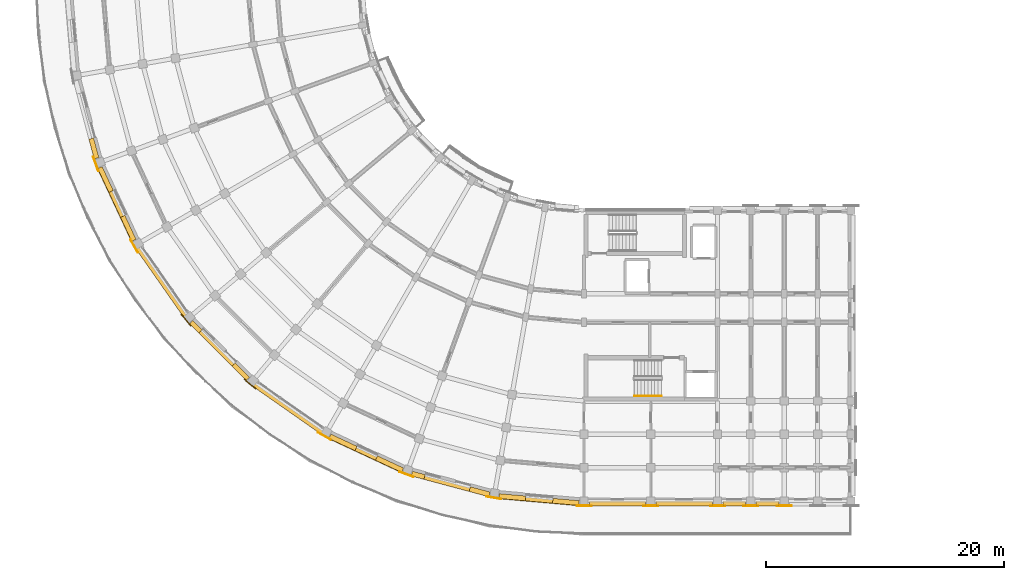
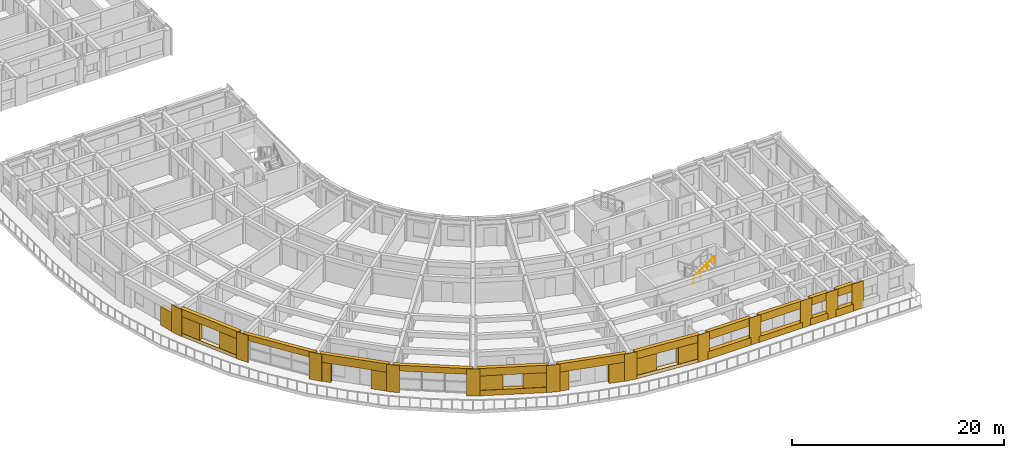
# One storey, part 39 of 57: 41 coverings, 1 railing.
"""IFC4 building model written with IfcOpenShell, lengths in metres."""

import ifcopenshell
import ifcopenshell.guid

model = None  # the IFC model being written
_history = None  # IfcOwnerHistory: only IFC2X3 demands one
_inside = {}  # id of a spatial element -> (the spatial element, [elements in it])
_under = {}  # id of a project, library or spatial element -> (it, [spatial elements below it])
_declared = {}  # id of a project -> (the project, [libraries it declares])
_typed = {}  # id of a type object -> (the type object, [elements of that type])
_made_of = {}  # id of a material, layer set ... -> (it, [elements and type objects made of it])


def new_model(schema):
    """Start an empty IFC model of exactly this schema.

    Asked for "IFC4X3", IfcOpenShell would pick the latest addendum, in which some entities
    have other attributes; the version numbers below select the first issue.
    IFC2X3 requires an IfcOwnerHistory on every rooted entity: one is made here for all.
    """
    global model, _history
    if schema == "IFC4X3":
        model = ifcopenshell.file(schema_version=(4, 3, 0, 0))
    else:
        model = ifcopenshell.file(schema=schema)
    _inside.clear()
    _under.clear()
    _declared.clear()
    _typed.clear()
    _made_of.clear()
    _history = None
    if model.schema == "IFC2X3":
        org = make("IfcOrganization", Name="unknown")
        user = make(
            "IfcPersonAndOrganization",
            ThePerson=make("IfcPerson", FamilyName="unknown"),
            TheOrganization=org,
        )
        app = make(
            "IfcApplication",
            ApplicationDeveloper=org,
            Version="unknown",
            ApplicationFullName="unknown",
            ApplicationIdentifier="unknown",
        )
        _history = make(
            "IfcOwnerHistory",
            OwningUser=user,
            OwningApplication=app,
            ChangeAction="ADDED",
            CreationDate=0,
        )
    return model


def make(cls, **values):
    """One entity of the class cls with the attributes given. An attribute that is None is left unset."""
    return model.create_entity(
        cls, **{name: value for name, value in values.items() if value is not None}
    )


def rooted(cls, **values):
    """An entity with a GlobalId (a new one), such as an element, a storey or a relation."""
    return make(cls, GlobalId=ifcopenshell.guid.new(), OwnerHistory=_history, **values)


def si_unit(unit_type, name, prefix=None):
    """IfcSIUnit, for example si_unit("LENGTHUNIT", "METRE", prefix="MILLI")."""
    return make("IfcSIUnit", UnitType=unit_type, Prefix=prefix, Name=name)


def assignment(units):
    """IfcUnitAssignment: the units of a project."""
    return None if units is None else make("IfcUnitAssignment", Units=units)


def point(xyz):
    """IfcCartesianPoint."""
    return None if xyz is None else make("IfcCartesianPoint", Coordinates=xyz)


def direction(xyz):
    """IfcDirection."""
    return None if xyz is None else make("IfcDirection", DirectionRatios=xyz)


def frame(location, z_axis=None, x_axis=None):
    """IfcAxis2Placement3D, a coordinate frame: its origin and axes. An axis left out is left unset."""
    return make(
        "IfcAxis2Placement3D",
        Location=point(location),
        Axis=direction(z_axis),
        RefDirection=direction(x_axis),
    )


def frame_2d(location, x_axis=None):
    """IfcAxis2Placement2D, a coordinate frame in the plane: its origin and x axis."""
    return make(
        "IfcAxis2Placement2D", Location=point(location), RefDirection=direction(x_axis)
    )


def origin():
    """The frame at (0, 0, 0) with its axes left unset."""
    return frame((0.0, 0.0, 0.0))


def origin_2d():
    """The frame at (0, 0) in the plane with its x axis left unset."""
    return frame_2d((0.0, 0.0))


def place(relative_to, where):
    """IfcLocalPlacement: puts the frame where relative to a parent placement (None: the world)."""
    return make(
        "IfcLocalPlacement", PlacementRelTo=relative_to, RelativePlacement=where
    )


def context(
    kind, dimensions, precision=None, world=None, true_north=None, identifier=None
):
    """IfcGeometricRepresentationContext, for example the 3D "Model" context."""
    return make(
        "IfcGeometricRepresentationContext",
        ContextIdentifier=identifier,
        ContextType=kind,
        CoordinateSpaceDimension=dimensions,
        Precision=precision,
        WorldCoordinateSystem=world,
        TrueNorth=true_north,
    )


def subcontext(parent, identifier, kind, view, scale=None):
    """IfcGeometricRepresentationSubContext, for example "Body" below "Model"."""
    return make(
        "IfcGeometricRepresentationSubContext",
        ContextIdentifier=identifier,
        ContextType=kind,
        ParentContext=parent,
        TargetScale=scale,
        TargetView=view,
    )


def project(units=None, contexts=None):
    """IfcProject with its units and contexts."""
    return rooted(
        "IfcProject",
        Name="project",
        RepresentationContexts=contexts,
        UnitsInContext=assignment(units),
    )


def spatial(cls, under=None, at=None, **own):
    """A site, building, storey or space (cls), placed at a placement, below another one or the project."""
    s = rooted(cls, ObjectPlacement=at, **own)
    if under is not None:
        _under.setdefault(under.id(), (under, []))[1].append(s)
    return s


def polyline(points):
    """IfcPolyline through the points."""
    return make("IfcPolyline", Points=[point(p) for p in points])


def profile(cls, at=None, kind="AREA", **sizes):
    """A parametric profile (cls). Its sizes go by their IFC names, for example OverallWidth=200.0."""
    return make(cls, ProfileType=kind, Position=at, **sizes)


def circle(**sizes):
    """IfcCircleProfileDef."""
    return profile("IfcCircleProfileDef", **sizes)


def outline(outer, holes=None, kind="AREA"):
    """IfcArbitraryClosedProfileDef: a profile drawn as a closed curve; with holes, ...WithVoids."""
    if holes is None:
        return make("IfcArbitraryClosedProfileDef", ProfileType=kind, OuterCurve=outer)
    return make(
        "IfcArbitraryProfileDefWithVoids",
        ProfileType=kind,
        OuterCurve=outer,
        InnerCurves=holes,
    )


def extrude(swept, where, along, depth):
    """IfcExtrudedAreaSolid: the profile swept, set in the frame where, extruded along a direction by depth."""
    return make(
        "IfcExtrudedAreaSolid",
        SweptArea=swept,
        Position=where,
        ExtrudedDirection=direction(along),
        Depth=depth,
    )


def shape(context_of_items, identifier, shape_type, items):
    """IfcShapeRepresentation: the items that make up one representation, for example the "Body"."""
    return make(
        "IfcShapeRepresentation",
        ContextOfItems=context_of_items,
        RepresentationIdentifier=identifier,
        RepresentationType=shape_type,
        Items=items,
    )


def material(Name=None, Category=None):
    """IfcMaterial."""
    return make("IfcMaterial", Name=Name, Category=Category)


def layer(
    of_material, thickness, ventilated=None, Name=None, Category=None, Priority=None
):
    """IfcMaterialLayer: one layer of a wall or slab, of a material (None: an air gap)."""
    return make(
        "IfcMaterialLayer",
        Material=of_material,
        LayerThickness=thickness,
        IsVentilated=ventilated,
        Name=Name,
        Category=Category,
        Priority=Priority,
    )


def layer_set(layers, Name=None):
    """IfcMaterialLayerSet."""
    return make("IfcMaterialLayerSet", MaterialLayers=layers, LayerSetName=Name)


def made_of(thing, what):
    """Note that an element or type object is made of a material, layer set ...; save() writes the relation."""
    if what is not None:
        _made_of.setdefault(what.id(), (what, []))[1].append(thing)
    return thing


def type_object(cls, material=None, **own):
    """A type object (cls), such as IfcWallType, which elements share."""
    return made_of(rooted(cls, **own), material)


def element(
    cls,
    number,
    at=None,
    inside=None,
    cuts=None,
    type_object=None,
    material=None,
    context=None,
    identifier="Body",
    shape_type=None,
    held_by="IfcProductDefinitionShape",
    body=None,
    shapes=None,
    **own,
):
    """One element of the class cls, such as IfcWall. Its Tag is "e" and its number.

    at: its placement. inside: the storey or other place that contains it. cuts: it is an
    opening in that element (IfcRelVoidsElement). A single representation is given by context,
    identifier, shape_type and body (its items); several are given by shapes. held_by: the class
    of the entity that holds the representations. save() writes the other relations.
    """
    e = rooted(cls, Tag="e%d" % number, ObjectPlacement=at, **own)
    if body is not None:
        shapes = [shape(context, identifier, shape_type, body)]
    if shapes is not None:
        e.Representation = make(held_by, Representations=shapes)
    if inside is not None:
        _inside.setdefault(inside.id(), (inside, []))[1].append(e)
    if cuts is not None:
        rooted(
            "IfcRelVoidsElement", RelatingBuildingElement=cuts, RelatedOpeningElement=e
        )
    if type_object is not None:
        _typed.setdefault(type_object.id(), (type_object, []))[1].append(e)
    return made_of(e, material)


def aggregate(whole, parts):
    """IfcRelAggregates: a whole, such as a stair, and the parts it consists of."""
    return rooted("IfcRelAggregates", RelatingObject=whole, RelatedObjects=parts)


def save(model, path):
    """Write the relations noted so far, then the file.

    IfcRelAggregates (storeys below a building ...), IfcRelContainedInSpatialStructure (elements
    in a storey), IfcRelDefinesByType, IfcRelAssociatesMaterial and IfcRelDeclares: one each for
    every whole, place, type object, material and project.
    """
    for whole, parts in _under.values():
        aggregate(whole, parts)
    for where, things in _inside.values():
        rooted(
            "IfcRelContainedInSpatialStructure",
            RelatedElements=things,
            RelatingStructure=where,
        )
    for kind, things in _typed.values():
        rooted("IfcRelDefinesByType", RelatedObjects=things, RelatingType=kind)
    for what, things in _made_of.values():
        rooted("IfcRelAssociatesMaterial", RelatedObjects=things, RelatingMaterial=what)
    for by, libraries in _declared.values():
        rooted("IfcRelDeclares", RelatingContext=by, RelatedDefinitions=libraries)
    model.write(path)


model = new_model("IFC4")

# Units and contexts
model_context = context("Model", 3, precision=1e-05, world=origin(), true_north=direction((0.0, 1.0)))
body_context = subcontext(model_context, "Body", "Model", "MODEL_VIEW")
ifc_project = project(units=[si_unit("LENGTHUNIT", "METRE"), si_unit("AREAUNIT", "SQUARE_METRE"), si_unit("VOLUMEUNIT", "CUBIC_METRE"), si_unit("PLANEANGLEUNIT", "RADIAN"), si_unit("MASSUNIT", "GRAM", prefix="KILO")], contexts=[model_context])

# Site, building, storey
site_placement = place(None, origin())
site = spatial("IfcSite", under=ifc_project, at=site_placement, CompositionType="ELEMENT")
building_placement = place(site_placement, origin())
building = spatial("IfcBuilding", under=site, at=building_placement, Name="Kiranvali Square Residences", CompositionType="ELEMENT")
storey_placement = place(building_placement, frame((0.0, 0.0, 21.300048828125)))
storey = spatial("IfcBuildingStorey", under=building, at=storey_placement, Name="L06", CompositionType="ELEMENT", Elevation=21.300048828125)

# Coverings
ifc_material_1 = material(Name="Honed Porbandar limestone ashlar facade cladding", Category="masonry")
ifc_layer_1 = layer(ifc_material_1, 0.3798828125)
ifc_layer_set_1 = layer_set([ifc_layer_1], Name="Honed Porbandar limestone ashlar facade cladding")
covering_type_1 = type_object("IfcCoveringType", Name="COV-CLAD-JAMB", PredefinedType="CLADDING", material=ifc_layer_set_1)
covering_1_placement = place(storey_placement, frame((0.0, 0.0, 0.3798828125)))
element("IfcCovering", 1, at=covering_1_placement, inside=storey, type_object=covering_type_1, Name="L06 deep limestone window jamb reveal C-L06-CRV-00.L", PredefinedType="CLADDING", context=body_context, shape_type="SweptSolid", body=[
    extrude(outline(polyline([(47.801513671875, 5.034423828125), (45.5947265625, 5.2275390625), (45.55908203125, 4.819580078125), (47.765869140625, 4.62646484375), (47.801513671875, 5.034423828125)])), origin(), (0.0, 0.0, 1.0), 1.900146484375),
])
covering_2_placement = place(storey_placement, frame((0.0, 0.0, 0.3798828125)))
element("IfcCovering", 2, at=covering_2_placement, inside=storey, type_object=covering_type_1, Name="L06 deep limestone window jamb reveal C-L06-CRV-00.R", PredefinedType="CLADDING", context=body_context, shape_type="SweptSolid", body=[
    extrude(outline(polyline([(43.303466796875, 5.427978515625), (41.096923828125, 5.620849609375), (41.06103515625, 5.212890625), (43.267822265625, 5.02001953125), (43.303466796875, 5.427978515625)])), origin(), (0.0, 0.0, 1.0), 1.900146484375),
])
covering_3_placement = place(storey_placement, origin())
element("IfcCovering", 3, at=covering_3_placement, inside=storey, type_object=covering_type_1, Name="L06 deep limestone window jamb reveal C-L06-CRV-01.L", PredefinedType="CLADDING", context=body_context, shape_type="SweptSolid", body=[
    extrude(outline(polyline([(40.31201171875, 5.75927734375), (38.66455078125, 6.20068359375), (38.558349609375, 5.80517578125), (40.205810546875, 5.36376953125), (40.31201171875, 5.75927734375)])), origin(), (0.0, 0.0, 1.0), 2.179931640625),
])
covering_4_placement = place(storey_placement, origin())
element("IfcCovering", 4, at=covering_4_placement, inside=storey, type_object=covering_type_1, Name="L06 deep limestone window jamb reveal C-L06-CRV-01.R", PredefinedType="CLADDING", context=body_context, shape_type="SweptSolid", body=[
    extrude(outline(polyline([(34.873291015625, 7.216552734375), (33.81103515625, 7.501220703125), (33.705078125, 7.105712890625), (34.767333984375, 6.821044921875), (34.873291015625, 7.216552734375)])), origin(), (0.0, 0.0, 1.0), 2.179931640625),
])
covering_5_placement = place(storey_placement, frame((0.0, 0.0, 0.6298828125)))
element("IfcCovering", 5, at=covering_5_placement, inside=storey, type_object=covering_type_1, Name="L06 deep limestone window jamb reveal C-L06-CRV-02.L", PredefinedType="CLADDING", context=body_context, shape_type="SweptSolid", body=[
    extrude(outline(polyline([(33.06201171875, 7.77392578125), (30.873046875, 8.79443359375), (30.7001953125, 8.42333984375), (32.888916015625, 7.40283203125), (33.06201171875, 7.77392578125)])), origin(), (0.0, 0.0, 1.0), 1.650146484375),
])
covering_6_placement = place(storey_placement, frame((0.0, 0.0, 0.6298828125)))
element("IfcCovering", 6, at=covering_6_placement, inside=storey, type_object=covering_type_1, Name="L06 deep limestone window jamb reveal C-L06-CRV-02.R", PredefinedType="CLADDING", context=body_context, shape_type="SweptSolid", body=[
    extrude(outline(polyline([(29.151123046875, 9.597412109375), (26.96240234375, 10.6181640625), (26.789306640625, 10.2470703125), (28.97802734375, 9.226318359375), (29.151123046875, 9.597412109375)])), origin(), (0.0, 0.0, 1.0), 1.650146484375),
])
covering_7_placement = place(storey_placement, origin())
element("IfcCovering", 7, at=covering_7_placement, inside=storey, type_object=covering_type_1, Name="L06 deep limestone window jamb reveal C-L06-CRV-04.L", PredefinedType="CLADDING", context=body_context, shape_type="SweptSolid", body=[
    extrude(outline(polyline([(20.1484375, 15.389404296875), (18.9423828125, 16.595458984375), (18.65283203125, 16.305908203125), (19.85888671875, 15.099853515625), (20.1484375, 15.389404296875)])), origin(), (0.0, 0.0, 1.0), 2.179931640625),
])
covering_8_placement = place(storey_placement, origin())
element("IfcCovering", 8, at=covering_8_placement, inside=storey, type_object=covering_type_1, Name="L06 deep limestone window jamb reveal C-L06-CRV-04.R", PredefinedType="CLADDING", context=body_context, shape_type="SweptSolid", body=[
    extrude(outline(polyline([(16.1669921875, 19.37060546875), (15.389404296875, 20.1484375), (15.099853515625, 19.85888671875), (15.87744140625, 19.0810546875), (16.1669921875, 19.37060546875)])), origin(), (0.0, 0.0, 1.0), 2.179931640625),
])
covering_9_placement = place(storey_placement, frame((0.0, 0.0, 0.3798828125)))
element("IfcCovering", 9, at=covering_9_placement, inside=storey, type_object=covering_type_1, Name="L06 deep limestone window jamb reveal C-L06-CRV-06.L", PredefinedType="CLADDING", context=body_context, shape_type="SweptSolid", body=[
    extrude(outline(polyline([(10.6181640625, 26.96240234375), (9.68212890625, 28.969970703125), (9.31103515625, 28.796875), (10.2470703125, 26.789306640625), (10.6181640625, 26.96240234375)])), origin(), (0.0, 0.0, 1.0), 1.900146484375),
])
covering_10_placement = place(storey_placement, frame((0.0, 0.0, 0.3798828125)))
element("IfcCovering", 10, at=covering_10_placement, inside=storey, type_object=covering_type_1, Name="L06 deep limestone window jamb reveal C-L06-CRV-06.R", PredefinedType="CLADDING", context=body_context, shape_type="SweptSolid", body=[
    extrude(outline(polyline([(8.7099609375, 31.054443359375), (7.77392578125, 33.06201171875), (7.40283203125, 32.888916015625), (8.3388671875, 30.88134765625), (8.7099609375, 31.054443359375)])), origin(), (0.0, 0.0, 1.0), 1.900146484375),
])
covering_11_placement = place(storey_placement, origin())
element("IfcCovering", 11, at=covering_11_placement, inside=storey, type_object=covering_type_1, Name="L06 deep limestone window jamb reveal C-L06-CRV-07.L", PredefinedType="CLADDING", context=body_context, shape_type="SweptSolid", body=[
    extrude(outline(polyline([(7.501220703125, 33.81103515625), (7.059814453125, 35.45849609375), (6.664306640625, 35.3525390625), (7.105712890625, 33.705078125), (7.501220703125, 33.81103515625)])), origin(), (0.0, 0.0, 1.0), 2.179931640625),
])
ifc_layer_2 = layer(ifc_material_1, 0.06494140625)
ifc_layer_set_2 = layer_set([ifc_layer_2], Name="Honed Porbandar limestone ashlar facade cladding")
covering_type_2 = type_object("IfcCoveringType", Name="COV-CLAD-PIER", PredefinedType="CLADDING", material=ifc_layer_set_2)
covering_12_placement = place(storey_placement, frame((0.0, 0.0, 0.0048828125)))
element("IfcCovering", 12, at=covering_12_placement, inside=storey, type_object=covering_type_2, Name="L06 Classical limestone corner pilaster CLAD-PR-C-L06-A00", PredefinedType="CLADDING", context=body_context, shape_type="SweptSolid", body=[
    extrude(outline(polyline([(47.570068359375, 4.58203125), (48.830078125, 4.58203125), (48.830078125, 4.6494140625), (47.570068359375, 4.6494140625), (47.570068359375, 4.58203125)])), origin(), (0.0, 0.0, 1.0), 3.14013671875),
])
covering_13_placement = place(storey_placement, frame((0.0, 0.0, 0.0048828125)))
element("IfcCovering", 13, at=covering_13_placement, inside=storey, type_object=covering_type_2, Name="L06 Classical limestone corner pilaster CLAD-PR-C-L06-A01", PredefinedType="CLADDING", context=body_context, shape_type="SweptSolid", body=[
    extrude(outline(polyline([(40.00537109375, 5.35400390625), (41.246337890625, 5.13525390625), (41.258056640625, 5.20166015625), (40.01708984375, 5.42041015625), (40.00537109375, 5.35400390625)])), origin(), (0.0, 0.0, 1.0), 3.14013671875),
])
covering_14_placement = place(storey_placement, frame((0.0, 0.0, 0.0048828125)))
element("IfcCovering", 14, at=covering_14_placement, inside=storey, type_object=covering_type_2, Name="L06 Classical limestone corner pilaster CLAD-PR-C-L06-A02", PredefinedType="CLADDING", context=body_context, shape_type="SweptSolid", body=[
    extrude(outline(polyline([(32.689697265625, 7.427978515625), (33.873779296875, 6.9970703125), (33.89697265625, 7.060546875), (32.712890625, 7.491455078125), (32.689697265625, 7.427978515625)])), origin(), (0.0, 0.0, 1.0), 3.14013671875),
])
covering_15_placement = place(storey_placement, frame((0.0, 0.0, 0.0048828125)))
element("IfcCovering", 15, at=covering_15_placement, inside=storey, type_object=covering_type_2, Name="L06 Classical limestone corner pilaster CLAD-PR-C-L06-A03", PredefinedType="CLADDING", context=body_context, shape_type="SweptSolid", body=[
    extrude(outline(polyline([(25.845458984375, 10.74072265625), (26.9365234375, 10.110595703125), (26.970458984375, 10.169189453125), (25.879150390625, 10.799072265625), (25.845458984375, 10.74072265625)])), origin(), (0.0, 0.0, 1.0), 3.14013671875),
])
covering_16_placement = place(storey_placement, frame((0.0, 0.0, 0.0048828125)))
element("IfcCovering", 16, at=covering_16_placement, inside=storey, type_object=covering_type_2, Name="L06 Classical limestone corner pilaster CLAD-PR-C-L06-A04", PredefinedType="CLADDING", context=body_context, shape_type="SweptSolid", body=[
    extrude(outline(polyline([(19.68017578125, 15.191650390625), (20.6455078125, 14.3818359375), (20.68896484375, 14.433349609375), (19.7236328125, 15.243408203125), (19.68017578125, 15.191650390625)])), origin(), (0.0, 0.0, 1.0), 3.14013671875),
])
covering_17_placement = place(storey_placement, frame((0.0, 0.0, 0.0048828125)))
element("IfcCovering", 17, at=covering_17_placement, inside=storey, type_object=covering_type_2, Name="L06 Classical limestone corner pilaster CLAD-PR-C-L06-A05", PredefinedType="CLADDING", context=body_context, shape_type="SweptSolid", body=[
    extrude(outline(polyline([(14.3818359375, 20.6455078125), (15.191650390625, 19.68017578125), (15.243408203125, 19.7236328125), (14.433349609375, 20.68896484375), (14.3818359375, 20.6455078125)])), origin(), (0.0, 0.0, 1.0), 3.14013671875),
])
covering_18_placement = place(storey_placement, frame((0.0, 0.0, 0.0048828125)))
element("IfcCovering", 18, at=covering_18_placement, inside=storey, type_object=covering_type_2, Name="L06 Classical limestone corner pilaster CLAD-PR-C-L06-A06", PredefinedType="CLADDING", context=body_context, shape_type="SweptSolid", body=[
    extrude(outline(polyline([(10.110595703125, 26.9365234375), (10.74072265625, 25.845458984375), (10.799072265625, 25.879150390625), (10.169189453125, 26.970458984375), (10.110595703125, 26.9365234375)])), origin(), (0.0, 0.0, 1.0), 3.14013671875),
])
covering_19_placement = place(storey_placement, frame((0.0, 0.0, 0.0048828125)))
element("IfcCovering", 19, at=covering_19_placement, inside=storey, type_object=covering_type_2, Name="L06 Classical limestone corner pilaster CLAD-PR-C-L06-A07", PredefinedType="CLADDING", context=body_context, shape_type="SweptSolid", body=[
    extrude(outline(polyline([(6.9970703125, 33.873779296875), (7.427978515625, 32.689697265625), (7.491455078125, 32.712890625), (7.060546875, 33.89697265625), (6.9970703125, 33.873779296875)])), origin(), (0.0, 0.0, 1.0), 3.14013671875),
])
covering_20_placement = place(storey_placement, frame((0.0, 0.0, 0.0048828125)))
element("IfcCovering", 20, at=covering_20_placement, inside=storey, type_object=covering_type_2, Name="L06 Classical limestone pilaster casing CLAD-PR-C-L06-U56", PredefinedType="CLADDING", context=body_context, shape_type="SweptSolid", body=[
    extrude(outline(polyline([(53.169921875, 4.58203125), (54.429931640625, 4.58203125), (54.429931640625, 4.6494140625), (53.169921875, 4.6494140625), (53.169921875, 4.58203125)])), origin(), (0.0, 0.0, 1.0), 3.14013671875),
])
covering_21_placement = place(storey_placement, frame((0.0, 0.0, 0.0048828125)))
element("IfcCovering", 21, at=covering_21_placement, inside=storey, type_object=covering_type_2, Name="L06 Classical limestone pilaster casing CLAD-PR-C-L06-U112", PredefinedType="CLADDING", context=body_context, shape_type="SweptSolid", body=[
    extrude(outline(polyline([(58.77001953125, 4.58203125), (60.030029296875, 4.58203125), (60.030029296875, 4.6494140625), (58.77001953125, 4.6494140625), (58.77001953125, 4.58203125)])), origin(), (0.0, 0.0, 1.0), 3.14013671875),
])
covering_22_placement = place(storey_placement, frame((0.0, 0.0, 0.0048828125)))
element("IfcCovering", 22, at=covering_22_placement, inside=storey, type_object=covering_type_2, Name="L06 Classical limestone pilaster casing CLAD-PR-C-L06-U140", PredefinedType="CLADDING", context=body_context, shape_type="SweptSolid", body=[
    extrude(outline(polyline([(61.570068359375, 4.58203125), (62.830078125, 4.58203125), (62.830078125, 4.6494140625), (61.570068359375, 4.6494140625), (61.570068359375, 4.58203125)])), origin(), (0.0, 0.0, 1.0), 3.14013671875),
])
covering_23_placement = place(storey_placement, frame((0.0, 0.0, 0.0048828125)))
element("IfcCovering", 23, at=covering_23_placement, inside=storey, type_object=covering_type_2, Name="L06 Classical limestone pilaster casing CLAD-PR-C-L06-U167", PredefinedType="CLADDING", context=body_context, shape_type="SweptSolid", body=[
    extrude(outline(polyline([(64.3701171875, 4.58203125), (65.6298828125, 4.58203125), (65.6298828125, 4.6494140625), (64.3701171875, 4.6494140625), (64.3701171875, 4.58203125)])), origin(), (0.0, 0.0, 1.0), 3.14013671875),
])
ifc_layer_3 = layer(ifc_material_1, 0.360107421875)
ifc_layer_set_3 = layer_set([ifc_layer_3], Name="Honed Porbandar limestone ashlar facade cladding")
covering_type_3 = type_object("IfcCoveringType", Name="COV-CLAD-WALL", PredefinedType="CLADDING", material=ifc_layer_set_3)
covering_24_placement = place(storey_placement, frame((0.0, 0.0, 2.280029296875)))
element("IfcCovering", 24, at=covering_24_placement, inside=storey, type_object=covering_type_3, Name="L06 light limestone spandrel lintel C-L06-CRV-00", PredefinedType="CLADDING", context=body_context, shape_type="SweptSolid", body=[
    extrude(outline(polyline([(47.801513671875, 5.034423828125), (41.096923828125, 5.620849609375), (41.06103515625, 5.212890625), (47.765869140625, 4.62646484375), (47.801513671875, 5.034423828125)])), origin(), (0.0, 0.0, 1.0), 0.864990234375),
])
covering_25_placement = place(storey_placement, frame((0.0, 0.0, 0.0048828125)))
element("IfcCovering", 25, at=covering_25_placement, inside=storey, type_object=covering_type_3, Name="L06 limestone window sill apron C-L06-CRV-00", PredefinedType="CLADDING", context=body_context, shape_type="SweptSolid", body=[
    extrude(outline(polyline([(47.801513671875, 5.034423828125), (41.096923828125, 5.620849609375), (41.05859375, 5.18310546875), (47.76318359375, 4.596435546875), (47.801513671875, 5.034423828125)])), origin(), (0.0, 0.0, 1.0), 0.375),
])
covering_26_placement = place(storey_placement, frame((0.0, 0.0, 2.179931640625)))
element("IfcCovering", 26, at=covering_26_placement, inside=storey, type_object=covering_type_3, Name="L06 light limestone spandrel lintel C-L06-CRV-01", PredefinedType="CLADDING", context=body_context, shape_type="SweptSolid", body=[
    extrude(outline(polyline([(40.31201171875, 5.75927734375), (33.81103515625, 7.501220703125), (33.705078125, 7.105712890625), (40.205810546875, 5.36376953125), (40.31201171875, 5.75927734375)])), origin(), (0.0, 0.0, 1.0), 0.965087890625),
])
covering_27_placement = place(storey_placement, frame((0.0, 0.0, 2.280029296875)))
element("IfcCovering", 27, at=covering_27_placement, inside=storey, type_object=covering_type_3, Name="L06 light limestone spandrel lintel C-L06-CRV-02", PredefinedType="CLADDING", context=body_context, shape_type="SweptSolid", body=[
    extrude(outline(polyline([(33.06201171875, 7.77392578125), (26.96240234375, 10.6181640625), (26.789306640625, 10.2470703125), (32.888916015625, 7.40283203125), (33.06201171875, 7.77392578125)])), origin(), (0.0, 0.0, 1.0), 0.864990234375),
])
covering_28_placement = place(storey_placement, frame((0.0, 0.0, 0.0048828125)))
element("IfcCovering", 28, at=covering_28_placement, inside=storey, type_object=covering_type_3, Name="L06 limestone window sill apron C-L06-CRV-02", PredefinedType="CLADDING", context=body_context, shape_type="SweptSolid", body=[
    extrude(outline(polyline([(33.06201171875, 7.77392578125), (26.96240234375, 10.6181640625), (26.776611328125, 10.219970703125), (32.876220703125, 7.37548828125), (33.06201171875, 7.77392578125)])), origin(), (0.0, 0.0, 1.0), 0.625),
])
covering_29_placement = place(storey_placement, frame((0.0, 0.0, 2.47998046875)))
element("IfcCovering", 29, at=covering_29_placement, inside=storey, type_object=covering_type_3, Name="Block C L06 limestone terrace header 4", PredefinedType="CLADDING", context=body_context, shape_type="SweptSolid", body=[
    extrude(outline(polyline([(26.598876953125, 10.7861328125), (20.430419921875, 15.105224609375), (20.1962890625, 14.77099609375), (26.36474609375, 10.451904296875), (26.598876953125, 10.7861328125)])), origin(), (0.0, 0.0, 1.0), 0.6650390625),
])
covering_30_placement = place(storey_placement, frame((0.0, 0.0, 2.179931640625)))
element("IfcCovering", 30, at=covering_30_placement, inside=storey, type_object=covering_type_3, Name="L06 light limestone spandrel lintel C-L06-CRV-04", PredefinedType="CLADDING", context=body_context, shape_type="SweptSolid", body=[
    extrude(outline(polyline([(20.1484375, 15.389404296875), (15.389404296875, 20.1484375), (15.099853515625, 19.85888671875), (19.85888671875, 15.099853515625), (20.1484375, 15.389404296875)])), origin(), (0.0, 0.0, 1.0), 0.965087890625),
])
covering_31_placement = place(storey_placement, frame((0.0, 0.0, 2.47998046875)))
element("IfcCovering", 31, at=covering_31_placement, inside=storey, type_object=covering_type_3, Name="Block C L06 limestone terrace header 6", PredefinedType="CLADDING", context=body_context, shape_type="SweptSolid", body=[
    extrude(outline(polyline([(15.105224609375, 20.430419921875), (10.7861328125, 26.598876953125), (10.451904296875, 26.36474609375), (14.77099609375, 20.1962890625), (15.105224609375, 20.430419921875)])), origin(), (0.0, 0.0, 1.0), 0.6650390625),
])
covering_32_placement = place(storey_placement, frame((0.0, 0.0, 2.280029296875)))
element("IfcCovering", 32, at=covering_32_placement, inside=storey, type_object=covering_type_3, Name="L06 light limestone spandrel lintel C-L06-CRV-06", PredefinedType="CLADDING", context=body_context, shape_type="SweptSolid", body=[
    extrude(outline(polyline([(10.6181640625, 26.96240234375), (7.77392578125, 33.06201171875), (7.40283203125, 32.888916015625), (10.2470703125, 26.789306640625), (10.6181640625, 26.96240234375)])), origin(), (0.0, 0.0, 1.0), 0.864990234375),
])
covering_33_placement = place(storey_placement, frame((0.0, 0.0, 0.0048828125)))
element("IfcCovering", 33, at=covering_33_placement, inside=storey, type_object=covering_type_3, Name="L06 limestone window sill apron C-L06-CRV-06", PredefinedType="CLADDING", context=body_context, shape_type="SweptSolid", body=[
    extrude(outline(polyline([(10.6181640625, 26.96240234375), (7.77392578125, 33.06201171875), (7.37548828125, 32.876220703125), (10.219970703125, 26.776611328125), (10.6181640625, 26.96240234375)])), origin(), (0.0, 0.0, 1.0), 0.375),
])
covering_34_placement = place(storey_placement, frame((0.0, 0.0, 2.22998046875)))
element("IfcCovering", 34, at=covering_34_placement, inside=storey, type_object=covering_type_3, Name="L06 light limestone spandrel lintel C-L06-A1O-0", PredefinedType="CLADDING", context=body_context, shape_type="SweptSolid", body=[
    extrude(outline(polyline([(48.639892578125, 4.60009765625), (53.360107421875, 4.60009765625), (53.360107421875, 4.99951171875), (48.639892578125, 4.99951171875), (48.639892578125, 4.60009765625)])), origin(), (0.0, 0.0, 1.0), 0.9150390625),
])
covering_35_placement = place(storey_placement, frame((0.0, 0.0, 0.0048828125)))
element("IfcCovering", 35, at=covering_35_placement, inside=storey, type_object=covering_type_3, Name="L06 limestone window sill apron C-L06-A1O-0", PredefinedType="CLADDING", context=body_context, shape_type="SweptSolid", body=[
    extrude(outline(polyline([(48.639892578125, 4.570068359375), (53.360107421875, 4.570068359375), (53.360107421875, 4.99951171875), (48.639892578125, 4.99951171875), (48.639892578125, 4.570068359375)])), origin(), (0.0, 0.0, 1.0), 0.875),
])
covering_36_placement = place(storey_placement, frame((0.0, 0.0, 2.280029296875)))
element("IfcCovering", 36, at=covering_36_placement, inside=storey, type_object=covering_type_3, Name="L06 light limestone spandrel lintel C-L06-A1O-1", PredefinedType="CLADDING", context=body_context, shape_type="SweptSolid", body=[
    extrude(outline(polyline([(54.239990234375, 4.60009765625), (58.9599609375, 4.60009765625), (58.9599609375, 4.99951171875), (54.239990234375, 4.99951171875), (54.239990234375, 4.60009765625)])), origin(), (0.0, 0.0, 1.0), 0.864990234375),
])
covering_37_placement = place(storey_placement, frame((0.0, 0.0, 0.0048828125)))
element("IfcCovering", 37, at=covering_37_placement, inside=storey, type_object=covering_type_3, Name="L06 limestone window sill apron C-L06-A1O-1", PredefinedType="CLADDING", context=body_context, shape_type="SweptSolid", body=[
    extrude(outline(polyline([(54.239990234375, 4.570068359375), (58.9599609375, 4.570068359375), (58.9599609375, 4.99951171875), (54.239990234375, 4.99951171875), (54.239990234375, 4.570068359375)])), origin(), (0.0, 0.0, 1.0), 0.675048828125),
])
covering_38_placement = place(storey_placement, frame((0.0, 0.0, 2.280029296875)))
element("IfcCovering", 38, at=covering_38_placement, inside=storey, type_object=covering_type_3, Name="L06 light limestone spandrel lintel C-L06-A1O-2", PredefinedType="CLADDING", context=body_context, shape_type="SweptSolid", body=[
    extrude(outline(polyline([(59.840087890625, 4.60009765625), (61.760009765625, 4.60009765625), (61.760009765625, 4.99951171875), (59.840087890625, 4.99951171875), (59.840087890625, 4.60009765625)])), origin(), (0.0, 0.0, 1.0), 0.864990234375),
])
covering_39_placement = place(storey_placement, frame((0.0, 0.0, 0.0048828125)))
element("IfcCovering", 39, at=covering_39_placement, inside=storey, type_object=covering_type_3, Name="L06 limestone window sill apron C-L06-A1O-2", PredefinedType="CLADDING", context=body_context, shape_type="SweptSolid", body=[
    extrude(outline(polyline([(59.840087890625, 4.570068359375), (61.760009765625, 4.570068359375), (61.760009765625, 4.99951171875), (59.840087890625, 4.99951171875), (59.840087890625, 4.570068359375)])), origin(), (0.0, 0.0, 1.0), 0.775146484375),
])
covering_40_placement = place(storey_placement, frame((0.0, 0.0, 2.280029296875)))
element("IfcCovering", 40, at=covering_40_placement, inside=storey, type_object=covering_type_3, Name="L06 light limestone spandrel lintel C-L06-A1O-3", PredefinedType="CLADDING", context=body_context, shape_type="SweptSolid", body=[
    extrude(outline(polyline([(62.639892578125, 4.60009765625), (64.56005859375, 4.60009765625), (64.56005859375, 4.99951171875), (62.639892578125, 4.99951171875), (62.639892578125, 4.60009765625)])), origin(), (0.0, 0.0, 1.0), 0.864990234375),
])
covering_41_placement = place(storey_placement, frame((0.0, 0.0, 0.0048828125)))
element("IfcCovering", 41, at=covering_41_placement, inside=storey, type_object=covering_type_3, Name="L06 limestone window sill apron C-L06-A1O-3", PredefinedType="CLADDING", context=body_context, shape_type="SweptSolid", body=[
    extrude(outline(polyline([(62.639892578125, 4.570068359375), (64.56005859375, 4.570068359375), (64.56005859375, 4.99951171875), (62.639892578125, 4.99951171875), (62.639892578125, 4.570068359375)])), origin(), (0.0, 0.0, 1.0), 0.824951171875),
])

# Railing
ifc_material_2 = material(Name="Brushed stainless steel tubular handrail", Category="steel")
railing_type = type_object("IfcRailingType", Name="RL-HANDRAIL-900", PredefinedType="HANDRAIL", material=ifc_material_2)
railing_placement = place(storey_placement, frame((52.419921875, 13.800048828125, 1.75)))
element("IfcRailing", 42, at=railing_placement, inside=storey, type_object=railing_type, Name="L06 ST-C1 stair handrail 2", PredefinedType="HANDRAIL", context=body_context, shape_type="SweptSolid", body=[
    extrude(circle(Radius=0.02392578125, at=origin_2d()), frame((0.0, 0.0, 0.8759765625), z_axis=(0.82278801735, 0.0, 0.568348377763), x_axis=(0.0, 1.0, 0.0)), (0.0, 0.0, 1.0), 2.77099609375),
    extrude(circle(Radius=0.02099609375, at=origin_2d()), origin(), (0.0, 0.0, 1.0), 0.851806640625),
    extrude(circle(Radius=0.02099609375, at=origin_2d()), frame((0.760009765625, 0.0, 0.52490234375)), (0.0, 0.0, 1.0), 0.851806640625),
    extrude(circle(Radius=0.02099609375, at=origin_2d()), frame((1.52001953125, 0.0, 1.050048828125)), (0.0, 0.0, 1.0), 0.851806640625),
    extrude(circle(Radius=0.02099609375, at=origin_2d()), frame((2.280029296875, 0.0, 1.574951171875)), (0.0, 0.0, 1.0), 0.851806640625),
])

save(model, "model.ifc")
